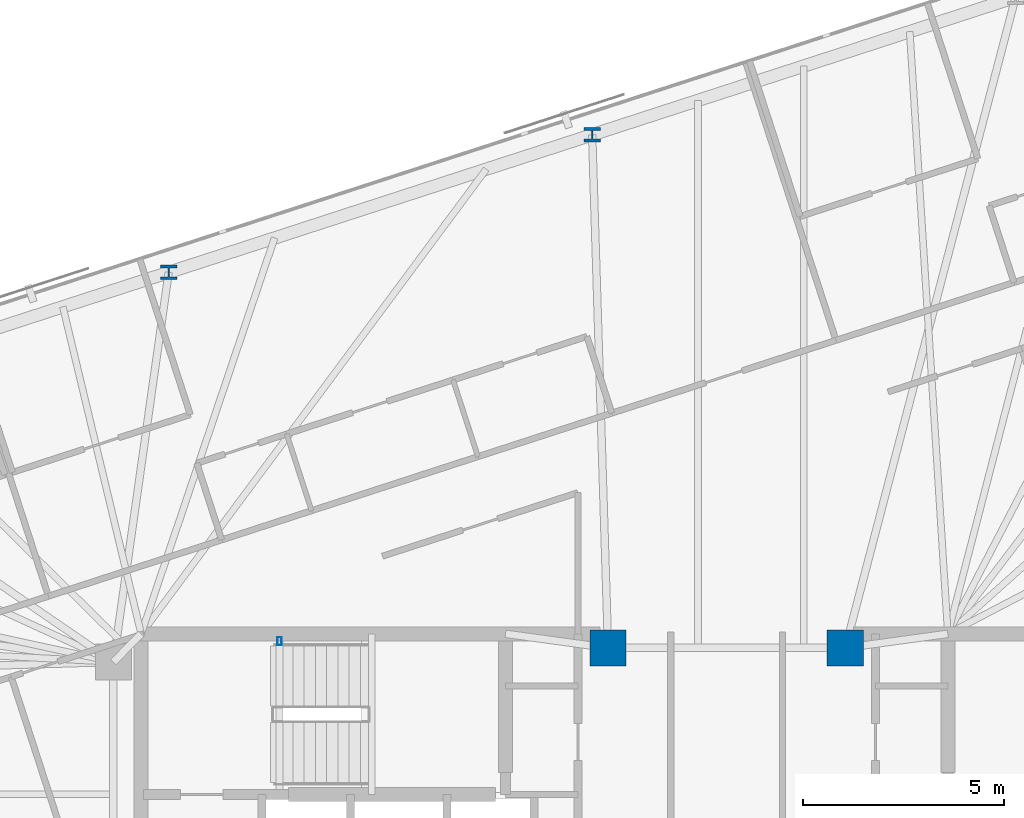
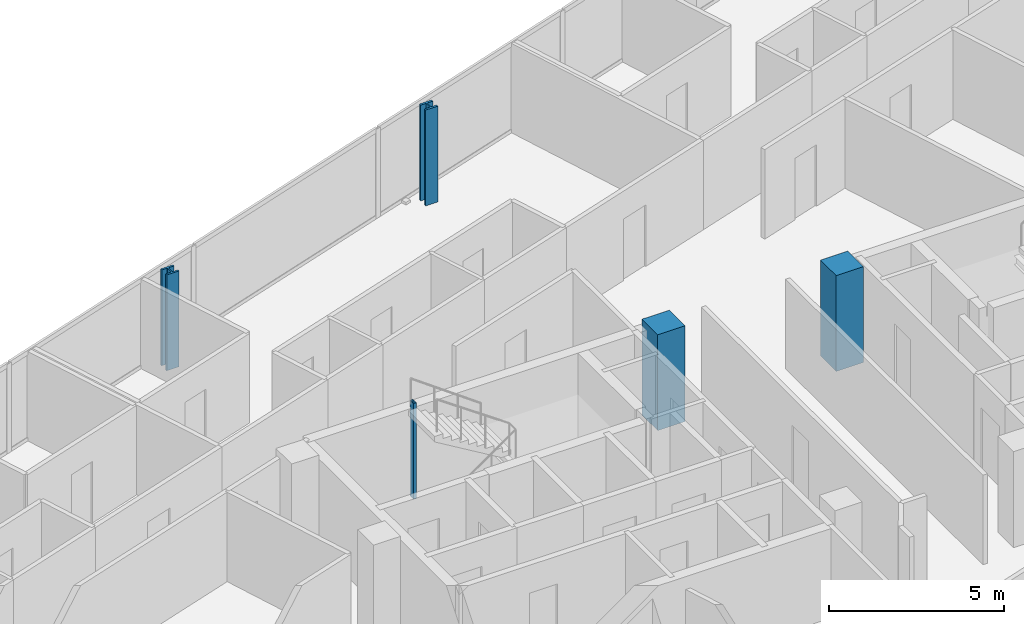
# One storey, part 2 of 20: 5 columns.
"""IFC4 building model written with IfcOpenShell, lengths in metres."""

from ifc_helpers import new_model, si_unit, direction, frame, origin, origin_2d, place, context, subcontext, project, spatial, rectangle, hollow_rectangle, i_section, extrude, material, material_profile, profile_set, type_object, element, save


model = new_model("IFC4")

# Units and contexts
model_context = context("Model", 3, precision=1e-05, world=origin(), true_north=direction((0.0, 1.0)))
body_context = subcontext(model_context, "Body", "Model", "MODEL_VIEW")
ifc_project = project(units=[si_unit("LENGTHUNIT", "METRE"), si_unit("AREAUNIT", "SQUARE_METRE"), si_unit("VOLUMEUNIT", "CUBIC_METRE"), si_unit("PLANEANGLEUNIT", "RADIAN"), si_unit("MASSUNIT", "GRAM", prefix="KILO")], contexts=[model_context])

# Site, building, storey
site_placement = place(None, origin())
site = spatial("IfcSite", under=ifc_project, at=site_placement, CompositionType="ELEMENT")
building_placement = place(site_placement, origin())
building = spatial("IfcBuilding", under=site, at=building_placement, Name="Menara Jurai Vektor", CompositionType="ELEMENT")
storey_placement = place(building_placement, frame((0.0, 0.0, 217.60009765625)))
storey = spatial("IfcBuildingStorey", under=building, at=storey_placement, Name="L57", CompositionType="ELEMENT", Elevation=217.60009765625)

# Columns
ifc_material_1 = material(Name="Concrete C50/60", Category="concrete")
ifc_material_profile_1 = material_profile(ifc_material_1, rectangle(XDim=0.89990234375, YDim=0.89990234375, at=origin_2d()), Name="RC 900x900")
ifc_profile_set_1 = profile_set([ifc_material_profile_1], Name="Concrete C50/60")
column_type_1 = type_object("IfcColumnType", Name="STR-COL-RC900", PredefinedType="COLUMN", material=ifc_profile_set_1)
for number, where, z_axis, x_axis, name in (
    (1, (-2.949951171875, 5.25, 0.0), (0.0, 0.0, 1.0), (1.0, 0.0, 0.0), "Core Spine Column CW-NE L57"),
    (2, (2.949951171875, 5.25, 0.0), (0.0, 0.0, 1.0), (1.0, 0.0, 0.0), "Core Spine Column CE-NW L57"),
):
    element("IfcColumn", number, at=place(storey_placement, frame(where, z_axis=z_axis, x_axis=x_axis)), inside=storey, type_object=column_type_1, Name=name, PredefinedType="COLUMN", context=body_context, shape_type="SweptSolid", body=[
        extrude(rectangle(XDim=0.89990234375, YDim=0.89990234375, at=origin_2d()), origin(), (0.0, 0.0, 1.0), 3.349853515625),
    ])
ifc_material_2 = material(Name="Steel S355", Category="steel")
ifc_material_profile_2 = material_profile(ifc_material_2, hollow_rectangle(XDim=0.10009765625, YDim=0.199951171875, WallThickness=0.008056640625, at=origin_2d()), Name="RHS 200x100x8")
ifc_profile_set_2 = profile_set([ifc_material_profile_2], Name="Steel S355")
column_type_2 = type_object("IfcColumnType", Name="STR-COL-STAIR", PredefinedType="COLUMN", material=ifc_profile_set_2)
column_placement = place(storey_placement, frame((-11.1201171875, 5.419921875, 0.0), z_axis=(0.0, 0.0, 1.0), x_axis=(1.0, 0.0, 0.0)))
element("IfcColumn", 3, at=column_placement, inside=storey, type_object=column_type_2, Name="Stair Well Header Column ST1-P2 L57", PredefinedType="COLUMN", context=body_context, shape_type="SweptSolid", body=[
    extrude(hollow_rectangle(XDim=0.10009765625, YDim=0.199951171875, WallThickness=0.008056640625, at=origin_2d()), origin(), (0.0, 0.0, 1.0), 3.349853515625),
])
ifc_material_3 = material(Name="Steel S460", Category="steel")
ifc_material_profile_3 = material_profile(ifc_material_3, i_section(OverallWidth=0.405029296875, OverallDepth=0.35498046875, WebThickness=0.0419921875, FlangeThickness=0.068115234375, FilletRadius=0.014892578125, at=origin_2d()), Name="HD 400x551")
ifc_profile_set_3 = profile_set([ifc_material_profile_3], Name="Steel S460")
column_type_3 = type_object("IfcColumnType", Name="STR-EXO-BLK4", PredefinedType="COLUMN", material=ifc_profile_set_3)
for number, where, z_axis, x_axis, name in (
    (4, (-3.345703125, 18.008544921875, 0.0), (0.0, 0.0, 1.0), (1.0, 0.0, 0.0), "Exoskeleton Column BLK4-N3 L57"),
    (5, (-13.875, 14.58740234375, 0.0), (0.0, 0.0, 1.0), (1.0, 0.0, 0.0), "Exoskeleton Column BLK4-N4 L57"),
):
    element("IfcColumn", number, at=place(storey_placement, frame(where, z_axis=z_axis, x_axis=x_axis)), inside=storey, type_object=column_type_3, Name=name, PredefinedType="COLUMN", context=body_context, shape_type="SweptSolid", body=[
        extrude(i_section(OverallWidth=0.405029296875, OverallDepth=0.35498046875, WebThickness=0.0419921875, FlangeThickness=0.068115234375, FilletRadius=0.014892578125, at=origin_2d()), origin(), (0.0, 0.0, 1.0), 3.349853515625),
    ])

save(model, "model.ifc")
